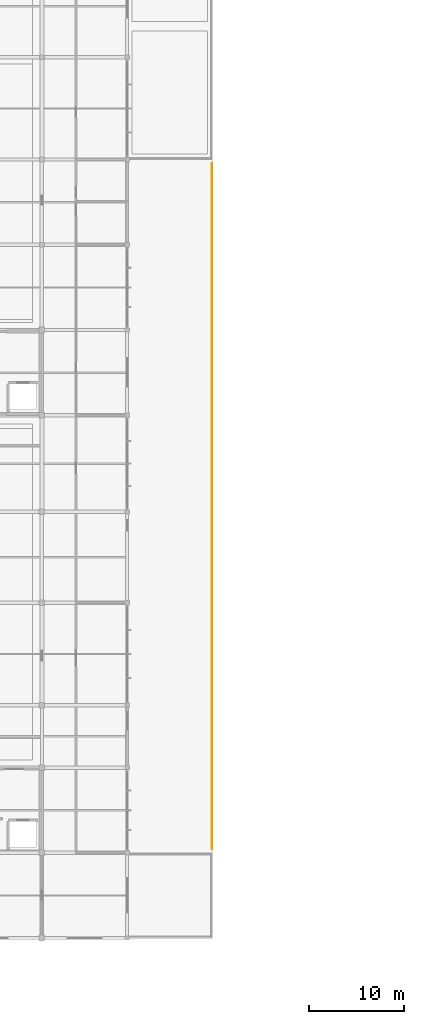
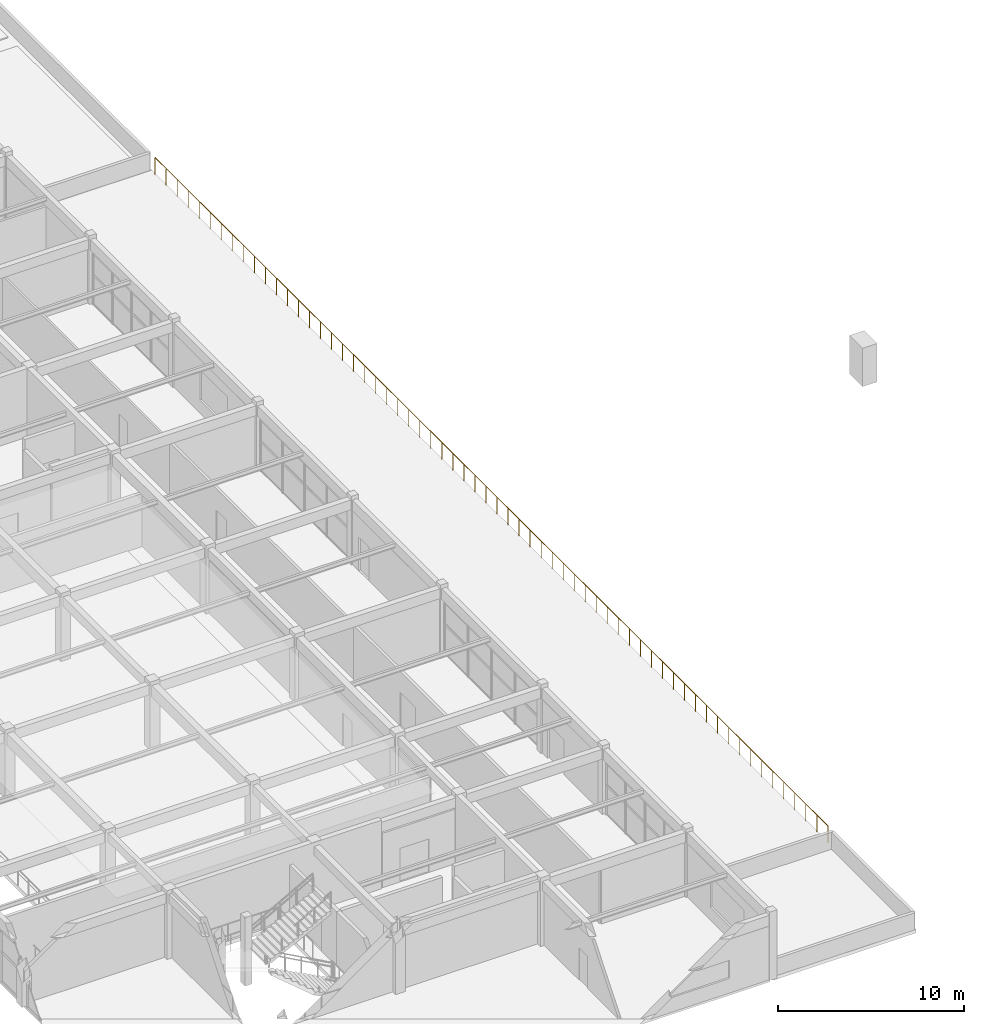
# One storey, part 77 of 89: 1 railing.
"""IFC4 building model written with IfcOpenShell, lengths in metres."""

import ifcopenshell
import ifcopenshell.guid

model = None  # the IFC model being written
_history = None  # IfcOwnerHistory: only IFC2X3 demands one
_inside = {}  # id of a spatial element -> (the spatial element, [elements in it])
_under = {}  # id of a project, library or spatial element -> (it, [spatial elements below it])
_declared = {}  # id of a project -> (the project, [libraries it declares])
_typed = {}  # id of a type object -> (the type object, [elements of that type])
_made_of = {}  # id of a material, layer set ... -> (it, [elements and type objects made of it])


def new_model(schema):
    """Start an empty IFC model of exactly this schema.

    Asked for "IFC4X3", IfcOpenShell would pick the latest addendum, in which some entities
    have other attributes; the version numbers below select the first issue.
    IFC2X3 requires an IfcOwnerHistory on every rooted entity: one is made here for all.
    """
    global model, _history
    if schema == "IFC4X3":
        model = ifcopenshell.file(schema_version=(4, 3, 0, 0))
    else:
        model = ifcopenshell.file(schema=schema)
    _inside.clear()
    _under.clear()
    _declared.clear()
    _typed.clear()
    _made_of.clear()
    _history = None
    if model.schema == "IFC2X3":
        org = make("IfcOrganization", Name="unknown")
        user = make(
            "IfcPersonAndOrganization",
            ThePerson=make("IfcPerson", FamilyName="unknown"),
            TheOrganization=org,
        )
        app = make(
            "IfcApplication",
            ApplicationDeveloper=org,
            Version="unknown",
            ApplicationFullName="unknown",
            ApplicationIdentifier="unknown",
        )
        _history = make(
            "IfcOwnerHistory",
            OwningUser=user,
            OwningApplication=app,
            ChangeAction="ADDED",
            CreationDate=0,
        )
    return model


def make(cls, **values):
    """One entity of the class cls with the attributes given. An attribute that is None is left unset."""
    return model.create_entity(
        cls, **{name: value for name, value in values.items() if value is not None}
    )


def rooted(cls, **values):
    """An entity with a GlobalId (a new one), such as an element, a storey or a relation."""
    return make(cls, GlobalId=ifcopenshell.guid.new(), OwnerHistory=_history, **values)


def si_unit(unit_type, name, prefix=None):
    """IfcSIUnit, for example si_unit("LENGTHUNIT", "METRE", prefix="MILLI")."""
    return make("IfcSIUnit", UnitType=unit_type, Prefix=prefix, Name=name)


def assignment(units):
    """IfcUnitAssignment: the units of a project."""
    return None if units is None else make("IfcUnitAssignment", Units=units)


def point(xyz):
    """IfcCartesianPoint."""
    return None if xyz is None else make("IfcCartesianPoint", Coordinates=xyz)


def direction(xyz):
    """IfcDirection."""
    return None if xyz is None else make("IfcDirection", DirectionRatios=xyz)


def frame(location, z_axis=None, x_axis=None):
    """IfcAxis2Placement3D, a coordinate frame: its origin and axes. An axis left out is left unset."""
    return make(
        "IfcAxis2Placement3D",
        Location=point(location),
        Axis=direction(z_axis),
        RefDirection=direction(x_axis),
    )


def frame_2d(location, x_axis=None):
    """IfcAxis2Placement2D, a coordinate frame in the plane: its origin and x axis."""
    return make(
        "IfcAxis2Placement2D", Location=point(location), RefDirection=direction(x_axis)
    )


def origin():
    """The frame at (0, 0, 0) with its axes left unset."""
    return frame((0.0, 0.0, 0.0))


def origin_2d():
    """The frame at (0, 0) in the plane with its x axis left unset."""
    return frame_2d((0.0, 0.0))


def place(relative_to, where):
    """IfcLocalPlacement: puts the frame where relative to a parent placement (None: the world)."""
    return make(
        "IfcLocalPlacement", PlacementRelTo=relative_to, RelativePlacement=where
    )


def context(
    kind, dimensions, precision=None, world=None, true_north=None, identifier=None
):
    """IfcGeometricRepresentationContext, for example the 3D "Model" context."""
    return make(
        "IfcGeometricRepresentationContext",
        ContextIdentifier=identifier,
        ContextType=kind,
        CoordinateSpaceDimension=dimensions,
        Precision=precision,
        WorldCoordinateSystem=world,
        TrueNorth=true_north,
    )


def subcontext(parent, identifier, kind, view, scale=None):
    """IfcGeometricRepresentationSubContext, for example "Body" below "Model"."""
    return make(
        "IfcGeometricRepresentationSubContext",
        ContextIdentifier=identifier,
        ContextType=kind,
        ParentContext=parent,
        TargetScale=scale,
        TargetView=view,
    )


def project(units=None, contexts=None):
    """IfcProject with its units and contexts."""
    return rooted(
        "IfcProject",
        Name="project",
        RepresentationContexts=contexts,
        UnitsInContext=assignment(units),
    )


def spatial(cls, under=None, at=None, **own):
    """A site, building, storey or space (cls), placed at a placement, below another one or the project."""
    s = rooted(cls, ObjectPlacement=at, **own)
    if under is not None:
        _under.setdefault(under.id(), (under, []))[1].append(s)
    return s


def profile(cls, at=None, kind="AREA", **sizes):
    """A parametric profile (cls). Its sizes go by their IFC names, for example OverallWidth=200.0."""
    return make(cls, ProfileType=kind, Position=at, **sizes)


def circle(**sizes):
    """IfcCircleProfileDef."""
    return profile("IfcCircleProfileDef", **sizes)


def extrude(swept, where, along, depth):
    """IfcExtrudedAreaSolid: the profile swept, set in the frame where, extruded along a direction by depth."""
    return make(
        "IfcExtrudedAreaSolid",
        SweptArea=swept,
        Position=where,
        ExtrudedDirection=direction(along),
        Depth=depth,
    )


def shape(context_of_items, identifier, shape_type, items):
    """IfcShapeRepresentation: the items that make up one representation, for example the "Body"."""
    return make(
        "IfcShapeRepresentation",
        ContextOfItems=context_of_items,
        RepresentationIdentifier=identifier,
        RepresentationType=shape_type,
        Items=items,
    )


def material(Name=None, Category=None):
    """IfcMaterial."""
    return make("IfcMaterial", Name=Name, Category=Category)


def made_of(thing, what):
    """Note that an element or type object is made of a material, layer set ...; save() writes the relation."""
    if what is not None:
        _made_of.setdefault(what.id(), (what, []))[1].append(thing)
    return thing


def type_object(cls, material=None, **own):
    """A type object (cls), such as IfcWallType, which elements share."""
    return made_of(rooted(cls, **own), material)


def element(
    cls,
    number,
    at=None,
    inside=None,
    cuts=None,
    type_object=None,
    material=None,
    context=None,
    identifier="Body",
    shape_type=None,
    held_by="IfcProductDefinitionShape",
    body=None,
    shapes=None,
    **own,
):
    """One element of the class cls, such as IfcWall. Its Tag is "e" and its number.

    at: its placement. inside: the storey or other place that contains it. cuts: it is an
    opening in that element (IfcRelVoidsElement). A single representation is given by context,
    identifier, shape_type and body (its items); several are given by shapes. held_by: the class
    of the entity that holds the representations. save() writes the other relations.
    """
    e = rooted(cls, Tag="e%d" % number, ObjectPlacement=at, **own)
    if body is not None:
        shapes = [shape(context, identifier, shape_type, body)]
    if shapes is not None:
        e.Representation = make(held_by, Representations=shapes)
    if inside is not None:
        _inside.setdefault(inside.id(), (inside, []))[1].append(e)
    if cuts is not None:
        rooted(
            "IfcRelVoidsElement", RelatingBuildingElement=cuts, RelatedOpeningElement=e
        )
    if type_object is not None:
        _typed.setdefault(type_object.id(), (type_object, []))[1].append(e)
    return made_of(e, material)


def aggregate(whole, parts):
    """IfcRelAggregates: a whole, such as a stair, and the parts it consists of."""
    return rooted("IfcRelAggregates", RelatingObject=whole, RelatedObjects=parts)


def save(model, path):
    """Write the relations noted so far, then the file.

    IfcRelAggregates (storeys below a building ...), IfcRelContainedInSpatialStructure (elements
    in a storey), IfcRelDefinesByType, IfcRelAssociatesMaterial and IfcRelDeclares: one each for
    every whole, place, type object, material and project.
    """
    for whole, parts in _under.values():
        aggregate(whole, parts)
    for where, things in _inside.values():
        rooted(
            "IfcRelContainedInSpatialStructure",
            RelatedElements=things,
            RelatingStructure=where,
        )
    for kind, things in _typed.values():
        rooted("IfcRelDefinesByType", RelatedObjects=things, RelatingType=kind)
    for what, things in _made_of.values():
        rooted("IfcRelAssociatesMaterial", RelatedObjects=things, RelatingMaterial=what)
    for by, libraries in _declared.values():
        rooted("IfcRelDeclares", RelatingContext=by, RelatedDefinitions=libraries)
    model.write(path)


model = new_model("IFC4")

# Units and contexts
model_context = context("Model", 3, precision=1e-05, world=origin(), true_north=direction((0.0, 1.0)))
body_context = subcontext(model_context, "Body", "Model", "MODEL_VIEW")
ifc_project = project(units=[si_unit("LENGTHUNIT", "METRE"), si_unit("AREAUNIT", "SQUARE_METRE"), si_unit("VOLUMEUNIT", "CUBIC_METRE"), si_unit("PLANEANGLEUNIT", "RADIAN"), si_unit("MASSUNIT", "GRAM", prefix="KILO")], contexts=[model_context])

# Site, building, storey
site_placement = place(None, origin())
site = spatial("IfcSite", under=ifc_project, at=site_placement, CompositionType="ELEMENT")
building_placement = place(site_placement, origin())
building = spatial("IfcBuilding", under=site, at=building_placement, Name="Suirenkawa Promenade Aquatics Centre", CompositionType="ELEMENT")
storey_placement = place(building_placement, frame((0.0, 0.0, 9.60009765625)))
storey = spatial("IfcBuildingStorey", under=building, at=storey_placement, Name="L02", CompositionType="ELEMENT", Elevation=9.60009765625)

# Railing
ifc_material = material(Name="Marine-grade stainless steel Grade 316L", Category="steel")
railing_type = type_object("IfcRailingType", Name="RLT-BALUSTRADE-1120", PredefinedType="BALUSTRADE", material=ifc_material)
railing_placement = place(storey_placement, frame((44.9599609375, 13.6201171875, 0.0)))
element("IfcRailing", 1, at=railing_placement, inside=storey, type_object=railing_type, Name="Balustrade BAL-01 RL-0386", PredefinedType="BALUSTRADE", context=body_context, shape_type="SweptSolid", body=[
    extrude(circle(Radius=0.02392578125, at=origin_2d()), frame((0.0, 0.0, 1.09619140625), z_axis=(0.0, 1.0, 0.0), x_axis=(-1.0, 0.0, 0.0)), (0.0, 0.0, 1.0), 72.35986328125),
    extrude(circle(Radius=0.02099609375, at=origin_2d()), origin(), (0.0, 0.0, 1.0), 1.072021484375),
    extrude(circle(Radius=0.02099609375, at=origin_2d()), frame((0.0, 1.186279296875, 0.0)), (0.0, 0.0, 1.0), 1.072021484375),
    extrude(circle(Radius=0.02099609375, at=origin_2d()), frame((0.0, 2.37255859375, 0.0)), (0.0, 0.0, 1.0), 1.072021484375),
    extrude(circle(Radius=0.02099609375, at=origin_2d()), frame((0.0, 3.55859375, 0.0)), (0.0, 0.0, 1.0), 1.072021484375),
    extrude(circle(Radius=0.02099609375, at=origin_2d()), frame((0.0, 4.744873046875, 0.0)), (0.0, 0.0, 1.0), 1.072021484375),
    extrude(circle(Radius=0.02099609375, at=origin_2d()), frame((0.0, 5.93115234375, 0.0)), (0.0, 0.0, 1.0), 1.072021484375),
    extrude(circle(Radius=0.02099609375, at=origin_2d()), frame((0.0, 7.117431640625, 0.0)), (0.0, 0.0, 1.0), 1.072021484375),
    extrude(circle(Radius=0.02099609375, at=origin_2d()), frame((0.0, 8.3037109375, 0.0)), (0.0, 0.0, 1.0), 1.072021484375),
    extrude(circle(Radius=0.02099609375, at=origin_2d()), frame((0.0, 9.48974609375, 0.0)), (0.0, 0.0, 1.0), 1.072021484375),
    extrude(circle(Radius=0.02099609375, at=origin_2d()), frame((0.0, 10.676025390625, 0.0)), (0.0, 0.0, 1.0), 1.072021484375),
    extrude(circle(Radius=0.02099609375, at=origin_2d()), frame((0.0, 11.8623046875, 0.0)), (0.0, 0.0, 1.0), 1.072021484375),
    extrude(circle(Radius=0.02099609375, at=origin_2d()), frame((0.0, 13.048583984375, 0.0)), (0.0, 0.0, 1.0), 1.072021484375),
    extrude(circle(Radius=0.02099609375, at=origin_2d()), frame((0.0, 14.234619140625, 0.0)), (0.0, 0.0, 1.0), 1.072021484375),
    extrude(circle(Radius=0.02099609375, at=origin_2d()), frame((0.0, 15.4208984375, 0.0)), (0.0, 0.0, 1.0), 1.072021484375),
    extrude(circle(Radius=0.02099609375, at=origin_2d()), frame((0.0, 16.607177734375, 0.0)), (0.0, 0.0, 1.0), 1.072021484375),
    extrude(circle(Radius=0.02099609375, at=origin_2d()), frame((0.0, 17.79345703125, 0.0)), (0.0, 0.0, 1.0), 1.072021484375),
    extrude(circle(Radius=0.02099609375, at=origin_2d()), frame((0.0, 18.979736328125, 0.0)), (0.0, 0.0, 1.0), 1.072021484375),
    extrude(circle(Radius=0.02099609375, at=origin_2d()), frame((0.0, 20.165771484375, 0.0)), (0.0, 0.0, 1.0), 1.072021484375),
    extrude(circle(Radius=0.02099609375, at=origin_2d()), frame((0.0, 21.35205078125, 0.0)), (0.0, 0.0, 1.0), 1.072021484375),
    extrude(circle(Radius=0.02099609375, at=origin_2d()), frame((0.0, 22.538330078125, 0.0)), (0.0, 0.0, 1.0), 1.072021484375),
    extrude(circle(Radius=0.02099609375, at=origin_2d()), frame((0.0, 23.724609375, 0.0)), (0.0, 0.0, 1.0), 1.072021484375),
    extrude(circle(Radius=0.02099609375, at=origin_2d()), frame((0.0, 24.910888671875, 0.0)), (0.0, 0.0, 1.0), 1.072021484375),
    extrude(circle(Radius=0.02099609375, at=origin_2d()), frame((0.0, 26.096923828125, 0.0)), (0.0, 0.0, 1.0), 1.072021484375),
    extrude(circle(Radius=0.02099609375, at=origin_2d()), frame((0.0, 27.283203125, 0.0)), (0.0, 0.0, 1.0), 1.072021484375),
    extrude(circle(Radius=0.02099609375, at=origin_2d()), frame((0.0, 28.469482421875, 0.0)), (0.0, 0.0, 1.0), 1.072021484375),
    extrude(circle(Radius=0.02099609375, at=origin_2d()), frame((0.0, 29.65576171875, 0.0)), (0.0, 0.0, 1.0), 1.072021484375),
    extrude(circle(Radius=0.02099609375, at=origin_2d()), frame((0.0, 30.841796875, 0.0)), (0.0, 0.0, 1.0), 1.072021484375),
    extrude(circle(Radius=0.02099609375, at=origin_2d()), frame((0.0, 32.028076171875, 0.0)), (0.0, 0.0, 1.0), 1.072021484375),
    extrude(circle(Radius=0.02099609375, at=origin_2d()), frame((0.0, 33.21435546875, 0.0)), (0.0, 0.0, 1.0), 1.072021484375),
    extrude(circle(Radius=0.02099609375, at=origin_2d()), frame((0.0, 34.400634765625, 0.0)), (0.0, 0.0, 1.0), 1.072021484375),
    extrude(circle(Radius=0.02099609375, at=origin_2d()), frame((0.0, 35.5869140625, 0.0)), (0.0, 0.0, 1.0), 1.072021484375),
    extrude(circle(Radius=0.02099609375, at=origin_2d()), frame((0.0, 36.77294921875, 0.0)), (0.0, 0.0, 1.0), 1.072021484375),
    extrude(circle(Radius=0.02099609375, at=origin_2d()), frame((0.0, 37.959228515625, 0.0)), (0.0, 0.0, 1.0), 1.072021484375),
    extrude(circle(Radius=0.02099609375, at=origin_2d()), frame((0.0, 39.1455078125, 0.0)), (0.0, 0.0, 1.0), 1.072021484375),
    extrude(circle(Radius=0.02099609375, at=origin_2d()), frame((0.0, 40.331787109375, 0.0)), (0.0, 0.0, 1.0), 1.072021484375),
    extrude(circle(Radius=0.02099609375, at=origin_2d()), frame((0.0, 41.51806640625, 0.0)), (0.0, 0.0, 1.0), 1.072021484375),
    extrude(circle(Radius=0.02099609375, at=origin_2d()), frame((0.0, 42.7041015625, 0.0)), (0.0, 0.0, 1.0), 1.072021484375),
    extrude(circle(Radius=0.02099609375, at=origin_2d()), frame((0.0, 43.890380859375, 0.0)), (0.0, 0.0, 1.0), 1.072021484375),
    extrude(circle(Radius=0.02099609375, at=origin_2d()), frame((0.0, 45.07666015625, 0.0)), (0.0, 0.0, 1.0), 1.072021484375),
    extrude(circle(Radius=0.02099609375, at=origin_2d()), frame((0.0, 46.262939453125, 0.0)), (0.0, 0.0, 1.0), 1.072021484375),
    extrude(circle(Radius=0.02099609375, at=origin_2d()), frame((0.0, 47.448974609375, 0.0)), (0.0, 0.0, 1.0), 1.072021484375),
    extrude(circle(Radius=0.02099609375, at=origin_2d()), frame((0.0, 48.63525390625, 0.0)), (0.0, 0.0, 1.0), 1.072021484375),
    extrude(circle(Radius=0.02099609375, at=origin_2d()), frame((0.0, 49.821533203125, 0.0)), (0.0, 0.0, 1.0), 1.072021484375),
    extrude(circle(Radius=0.02099609375, at=origin_2d()), frame((0.0, 51.0078125, 0.0)), (0.0, 0.0, 1.0), 1.072021484375),
    extrude(circle(Radius=0.02099609375, at=origin_2d()), frame((0.0, 52.194091796875, 0.0)), (0.0, 0.0, 1.0), 1.072021484375),
    extrude(circle(Radius=0.02099609375, at=origin_2d()), frame((0.0, 53.380126953125, 0.0)), (0.0, 0.0, 1.0), 1.072021484375),
    extrude(circle(Radius=0.02099609375, at=origin_2d()), frame((0.0, 54.56640625, 0.0)), (0.0, 0.0, 1.0), 1.072021484375),
    extrude(circle(Radius=0.02099609375, at=origin_2d()), frame((0.0, 55.752685546875, 0.0)), (0.0, 0.0, 1.0), 1.072021484375),
    extrude(circle(Radius=0.02099609375, at=origin_2d()), frame((0.0, 56.93896484375, 0.0)), (0.0, 0.0, 1.0), 1.072021484375),
    extrude(circle(Radius=0.02099609375, at=origin_2d()), frame((0.0, 58.125244140625, 0.0)), (0.0, 0.0, 1.0), 1.072021484375),
    extrude(circle(Radius=0.02099609375, at=origin_2d()), frame((0.0, 59.311279296875, 0.0)), (0.0, 0.0, 1.0), 1.072021484375),
    extrude(circle(Radius=0.02099609375, at=origin_2d()), frame((0.0, 60.49755859375, 0.0)), (0.0, 0.0, 1.0), 1.072021484375),
    extrude(circle(Radius=0.02099609375, at=origin_2d()), frame((0.0, 61.683837890625, 0.0)), (0.0, 0.0, 1.0), 1.072021484375),
    extrude(circle(Radius=0.02099609375, at=origin_2d()), frame((0.0, 62.8701171875, 0.0)), (0.0, 0.0, 1.0), 1.072021484375),
    extrude(circle(Radius=0.02099609375, at=origin_2d()), frame((0.0, 64.05615234375, 0.0)), (0.0, 0.0, 1.0), 1.072021484375),
    extrude(circle(Radius=0.02099609375, at=origin_2d()), frame((0.0, 65.242431640625, 0.0)), (0.0, 0.0, 1.0), 1.072021484375),
    extrude(circle(Radius=0.02099609375, at=origin_2d()), frame((0.0, 66.4287109375, 0.0)), (0.0, 0.0, 1.0), 1.072021484375),
    extrude(circle(Radius=0.02099609375, at=origin_2d()), frame((0.0, 67.614990234375, 0.0)), (0.0, 0.0, 1.0), 1.072021484375),
    extrude(circle(Radius=0.02099609375, at=origin_2d()), frame((0.0, 68.80126953125, 0.0)), (0.0, 0.0, 1.0), 1.072021484375),
    extrude(circle(Radius=0.02099609375, at=origin_2d()), frame((0.0, 69.9873046875, 0.0)), (0.0, 0.0, 1.0), 1.072021484375),
    extrude(circle(Radius=0.02099609375, at=origin_2d()), frame((0.0, 71.173583984375, 0.0)), (0.0, 0.0, 1.0), 1.072021484375),
    extrude(circle(Radius=0.02099609375, at=origin_2d()), frame((0.0, 72.35986328125, 0.0)), (0.0, 0.0, 1.0), 1.072021484375),
])

save(model, "model.ifc")
